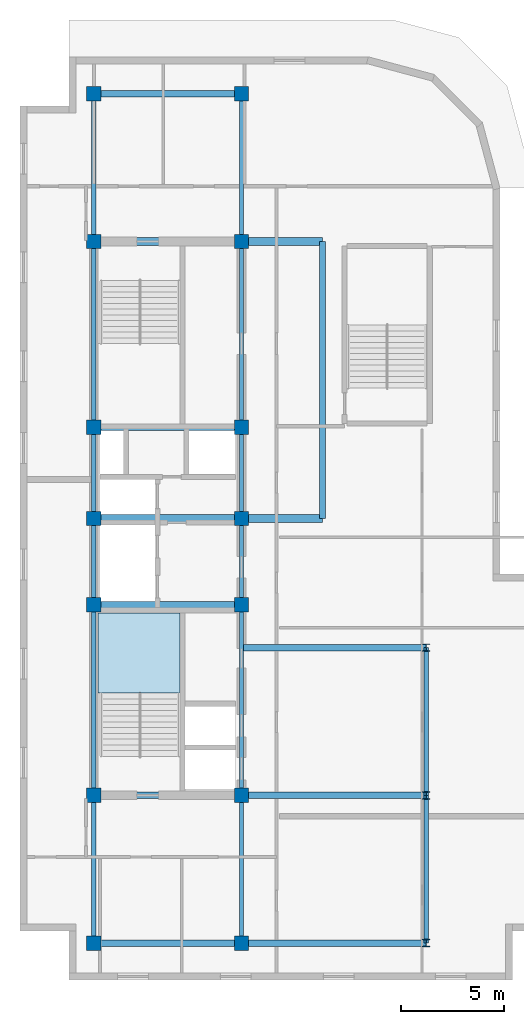
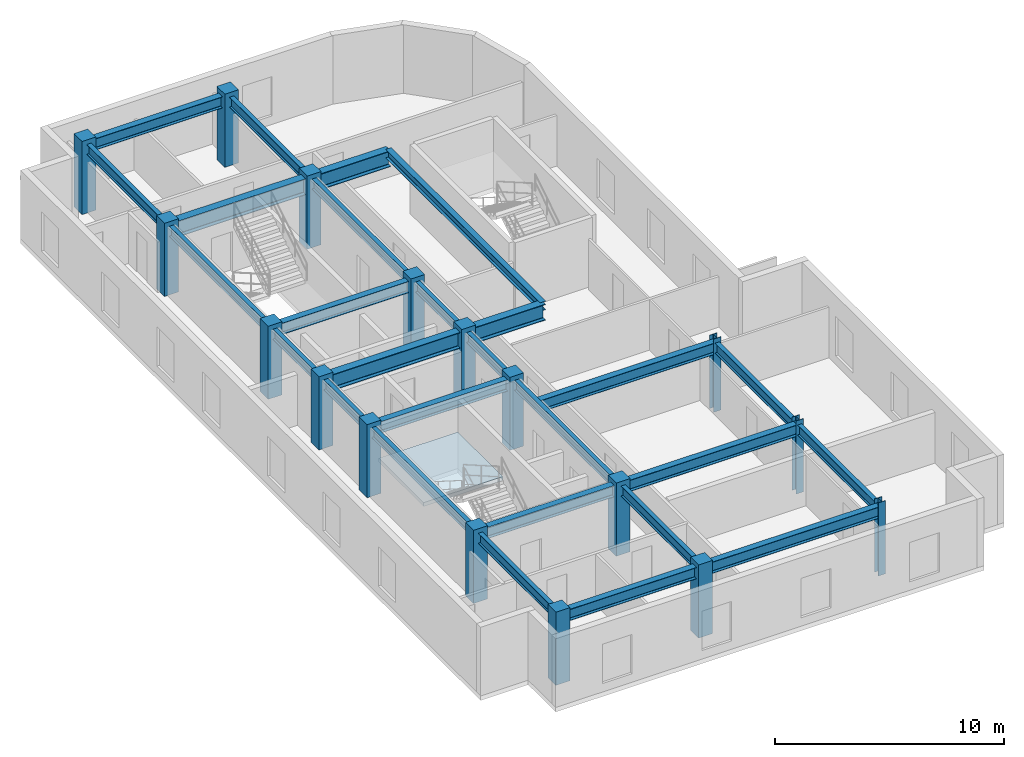
# One storey, part 1 of 5: 25 beams, 17 columns, 1 slab, 1 element without a shape of its own.
"""IFC4 building model written with IfcOpenShell, lengths in metres."""

import ifcopenshell
import ifcopenshell.guid

model = None  # the IFC model being written
_history = None  # IfcOwnerHistory: only IFC2X3 demands one
_inside = {}  # id of a spatial element -> (the spatial element, [elements in it])
_under = {}  # id of a project, library or spatial element -> (it, [spatial elements below it])
_declared = {}  # id of a project -> (the project, [libraries it declares])
_typed = {}  # id of a type object -> (the type object, [elements of that type])
_made_of = {}  # id of a material, layer set ... -> (it, [elements and type objects made of it])


def new_model(schema):
    """Start an empty IFC model of exactly this schema.

    Asked for "IFC4X3", IfcOpenShell would pick the latest addendum, in which some entities
    have other attributes; the version numbers below select the first issue.
    IFC2X3 requires an IfcOwnerHistory on every rooted entity: one is made here for all.
    """
    global model, _history
    if schema == "IFC4X3":
        model = ifcopenshell.file(schema_version=(4, 3, 0, 0))
    else:
        model = ifcopenshell.file(schema=schema)
    _inside.clear()
    _under.clear()
    _declared.clear()
    _typed.clear()
    _made_of.clear()
    _history = None
    if model.schema == "IFC2X3":
        org = make("IfcOrganization", Name="unknown")
        user = make(
            "IfcPersonAndOrganization",
            ThePerson=make("IfcPerson", FamilyName="unknown"),
            TheOrganization=org,
        )
        app = make(
            "IfcApplication",
            ApplicationDeveloper=org,
            Version="unknown",
            ApplicationFullName="unknown",
            ApplicationIdentifier="unknown",
        )
        _history = make(
            "IfcOwnerHistory",
            OwningUser=user,
            OwningApplication=app,
            ChangeAction="ADDED",
            CreationDate=0,
        )
    return model


def make(cls, **values):
    """One entity of the class cls with the attributes given. An attribute that is None is left unset."""
    return model.create_entity(
        cls, **{name: value for name, value in values.items() if value is not None}
    )


def entity(cls, *values):
    """Any entity or typed value of the class cls, its attributes in the order of the schema. None: left unset."""
    e = model.create_entity(cls)
    for i, value in enumerate(values):
        if value is not None:
            e[i] = value
    return e


def rooted(cls, **values):
    """An entity with a GlobalId (a new one), such as an element, a storey or a relation."""
    return make(cls, GlobalId=ifcopenshell.guid.new(), OwnerHistory=_history, **values)


def si_unit(unit_type, name, prefix=None):
    """IfcSIUnit, for example si_unit("LENGTHUNIT", "METRE", prefix="MILLI")."""
    return make("IfcSIUnit", UnitType=unit_type, Prefix=prefix, Name=name)


def converted_unit(unit_type, name, factor, base, dimensions=None, offset=None):
    """IfcConversionBasedUnit, such as the inch: factor (a typed value) times the base unit."""
    return make(
        "IfcConversionBasedUnit"
        if offset is None
        else "IfcConversionBasedUnitWithOffset",
        ConversionOffset=offset,
        Dimensions=None
        if dimensions is None
        else entity("IfcDimensionalExponents", *dimensions),
        UnitType=unit_type,
        Name=name,
        ConversionFactor=make(
            "IfcMeasureWithUnit", ValueComponent=factor, UnitComponent=base
        ),
    )


def assignment(units):
    """IfcUnitAssignment: the units of a project."""
    return None if units is None else make("IfcUnitAssignment", Units=units)


def point(xyz):
    """IfcCartesianPoint."""
    return None if xyz is None else make("IfcCartesianPoint", Coordinates=xyz)


def direction(xyz):
    """IfcDirection."""
    return None if xyz is None else make("IfcDirection", DirectionRatios=xyz)


def frame(location, z_axis=None, x_axis=None):
    """IfcAxis2Placement3D, a coordinate frame: its origin and axes. An axis left out is left unset."""
    return make(
        "IfcAxis2Placement3D",
        Location=point(location),
        Axis=direction(z_axis),
        RefDirection=direction(x_axis),
    )


def frame_2d(location, x_axis=None):
    """IfcAxis2Placement2D, a coordinate frame in the plane: its origin and x axis."""
    return make(
        "IfcAxis2Placement2D", Location=point(location), RefDirection=direction(x_axis)
    )


def origin_with_axes():
    """The frame at (0, 0, 0) with the z axis (0, 0, 1) and the x axis (1, 0, 0) written out."""
    return frame((0.0, 0.0, 0.0), z_axis=(0.0, 0.0, 1.0), x_axis=(1.0, 0.0, 0.0))


def origin_2d_with_axis():
    """The frame at (0, 0) in the plane with the x axis (1, 0) written out."""
    return frame_2d((0.0, 0.0), x_axis=(1.0, 0.0))


def place(relative_to, where):
    """IfcLocalPlacement: puts the frame where relative to a parent placement (None: the world)."""
    return make(
        "IfcLocalPlacement", PlacementRelTo=relative_to, RelativePlacement=where
    )


def context(
    kind, dimensions, precision=None, world=None, true_north=None, identifier=None
):
    """IfcGeometricRepresentationContext, for example the 3D "Model" context."""
    return make(
        "IfcGeometricRepresentationContext",
        ContextIdentifier=identifier,
        ContextType=kind,
        CoordinateSpaceDimension=dimensions,
        Precision=precision,
        WorldCoordinateSystem=world,
        TrueNorth=true_north,
    )


def subcontext(parent, identifier, kind, view, scale=None):
    """IfcGeometricRepresentationSubContext, for example "Body" below "Model"."""
    return make(
        "IfcGeometricRepresentationSubContext",
        ContextIdentifier=identifier,
        ContextType=kind,
        ParentContext=parent,
        TargetScale=scale,
        TargetView=view,
    )


def project(units=None, contexts=None):
    """IfcProject with its units and contexts."""
    return rooted(
        "IfcProject",
        Name="project",
        RepresentationContexts=contexts,
        UnitsInContext=assignment(units),
    )


def spatial(cls, under=None, at=None, **own):
    """A site, building, storey or space (cls), placed at a placement, below another one or the project."""
    s = rooted(cls, ObjectPlacement=at, **own)
    if under is not None:
        _under.setdefault(under.id(), (under, []))[1].append(s)
    return s


def polyline(points):
    """IfcPolyline through the points."""
    return make("IfcPolyline", Points=[point(p) for p in points])


def profile(cls, at=None, kind="AREA", **sizes):
    """A parametric profile (cls). Its sizes go by their IFC names, for example OverallWidth=200.0."""
    return make(cls, ProfileType=kind, Position=at, **sizes)


def rectangle(**sizes):
    """IfcRectangleProfileDef."""
    return profile("IfcRectangleProfileDef", **sizes)


def i_section(**sizes):
    """IfcIShapeProfileDef."""
    return profile("IfcIShapeProfileDef", **sizes)


def outline(outer, holes=None, kind="AREA"):
    """IfcArbitraryClosedProfileDef: a profile drawn as a closed curve; with holes, ...WithVoids."""
    if holes is None:
        return make("IfcArbitraryClosedProfileDef", ProfileType=kind, OuterCurve=outer)
    return make(
        "IfcArbitraryProfileDefWithVoids",
        ProfileType=kind,
        OuterCurve=outer,
        InnerCurves=holes,
    )


def extrude(swept, where, along, depth):
    """IfcExtrudedAreaSolid: the profile swept, set in the frame where, extruded along a direction by depth."""
    return make(
        "IfcExtrudedAreaSolid",
        SweptArea=swept,
        Position=where,
        ExtrudedDirection=direction(along),
        Depth=depth,
    )


def shape(context_of_items, identifier, shape_type, items):
    """IfcShapeRepresentation: the items that make up one representation, for example the "Body"."""
    return make(
        "IfcShapeRepresentation",
        ContextOfItems=context_of_items,
        RepresentationIdentifier=identifier,
        RepresentationType=shape_type,
        Items=items,
    )


def material(Name=None, Category=None):
    """IfcMaterial."""
    return make("IfcMaterial", Name=Name, Category=Category)


def layer(
    of_material, thickness, ventilated=None, Name=None, Category=None, Priority=None
):
    """IfcMaterialLayer: one layer of a wall or slab, of a material (None: an air gap)."""
    return make(
        "IfcMaterialLayer",
        Material=of_material,
        LayerThickness=thickness,
        IsVentilated=ventilated,
        Name=Name,
        Category=Category,
        Priority=Priority,
    )


def layer_set(layers, Name=None):
    """IfcMaterialLayerSet."""
    return make("IfcMaterialLayerSet", MaterialLayers=layers, LayerSetName=Name)


def material_profile(
    of_material, cross_section, Name=None, Category=None, Priority=None
):
    """IfcMaterialProfile: a cross section and its material."""
    return make(
        "IfcMaterialProfile",
        Name=Name,
        Material=of_material,
        Profile=cross_section,
        Priority=Priority,
        Category=Category,
    )


def profile_set(profiles, Name=None, composite=None):
    """IfcMaterialProfileSet."""
    return make(
        "IfcMaterialProfileSet",
        Name=Name,
        MaterialProfiles=profiles,
        CompositeProfile=composite,
    )


def made_of(thing, what):
    """Note that an element or type object is made of a material, layer set ...; save() writes the relation."""
    if what is not None:
        _made_of.setdefault(what.id(), (what, []))[1].append(thing)
    return thing


def type_object(cls, material=None, **own):
    """A type object (cls), such as IfcWallType, which elements share."""
    return made_of(rooted(cls, **own), material)


def element(
    cls,
    number,
    at=None,
    inside=None,
    cuts=None,
    type_object=None,
    material=None,
    context=None,
    identifier="Body",
    shape_type=None,
    held_by="IfcProductDefinitionShape",
    body=None,
    shapes=None,
    **own,
):
    """One element of the class cls, such as IfcWall. Its Tag is "e" and its number.

    at: its placement. inside: the storey or other place that contains it. cuts: it is an
    opening in that element (IfcRelVoidsElement). A single representation is given by context,
    identifier, shape_type and body (its items); several are given by shapes. held_by: the class
    of the entity that holds the representations. save() writes the other relations.
    """
    e = rooted(cls, Tag="e%d" % number, ObjectPlacement=at, **own)
    if body is not None:
        shapes = [shape(context, identifier, shape_type, body)]
    if shapes is not None:
        e.Representation = make(held_by, Representations=shapes)
    if inside is not None:
        _inside.setdefault(inside.id(), (inside, []))[1].append(e)
    if cuts is not None:
        rooted(
            "IfcRelVoidsElement", RelatingBuildingElement=cuts, RelatedOpeningElement=e
        )
    if type_object is not None:
        _typed.setdefault(type_object.id(), (type_object, []))[1].append(e)
    return made_of(e, material)


def aggregate(whole, parts):
    """IfcRelAggregates: a whole, such as a stair, and the parts it consists of."""
    return rooted("IfcRelAggregates", RelatingObject=whole, RelatedObjects=parts)


def save(model, path):
    """Write the relations noted so far, then the file.

    IfcRelAggregates (storeys below a building ...), IfcRelContainedInSpatialStructure (elements
    in a storey), IfcRelDefinesByType, IfcRelAssociatesMaterial and IfcRelDeclares: one each for
    every whole, place, type object, material and project.
    """
    for whole, parts in _under.values():
        aggregate(whole, parts)
    for where, things in _inside.values():
        rooted(
            "IfcRelContainedInSpatialStructure",
            RelatedElements=things,
            RelatingStructure=where,
        )
    for kind, things in _typed.values():
        rooted("IfcRelDefinesByType", RelatedObjects=things, RelatingType=kind)
    for what, things in _made_of.values():
        rooted("IfcRelAssociatesMaterial", RelatedObjects=things, RelatingMaterial=what)
    for by, libraries in _declared.values():
        rooted("IfcRelDeclares", RelatingContext=by, RelatedDefinitions=libraries)
    model.write(path)


model = new_model("IFC4")

# Units and contexts
model_context = context("Model", 3, precision=1e-05, world=origin_with_axes(), true_north=direction((0.0, 1.0)))
body_context = subcontext(model_context, "Body", "Model", "MODEL_VIEW")
ifc_project = project(units=[si_unit("LENGTHUNIT", "METRE"), si_unit("AREAUNIT", "SQUARE_METRE"), si_unit("VOLUMEUNIT", "CUBIC_METRE"), converted_unit("PLANEANGLEUNIT", "DEGREE", entity("IfcPlaneAngleMeasure", 0.017453292519943295), si_unit("PLANEANGLEUNIT", "RADIAN"), dimensions=[0, 0, 0, 0, 0, 0, 0]), si_unit("MASSUNIT", "GRAM", prefix="KILO"), si_unit("THERMODYNAMICTEMPERATUREUNIT", "KELVIN")], contexts=[model_context])

# Site, building, storey
site_placement = place(None, origin_with_axes())
site = spatial("IfcSite", under=ifc_project, at=site_placement, CompositionType="ELEMENT")
building_placement = place(site_placement, origin_with_axes())
building = spatial("IfcBuilding", under=site, at=building_placement, Name="Varnlund Millrace Tower", CompositionType="ELEMENT")
storey_placement = place(building_placement, frame((0.0, 0.0, 295.8), z_axis=(0.0, 0.0, 1.0), x_axis=(1.0, 0.0, 0.0)))
storey = spatial("IfcBuildingStorey", under=building, at=storey_placement, Name="L73", CompositionType="ELEMENT", Elevation=295.8)

# Columns
ifc_material_1 = material(Name="Steel ASTM A992 Grade 50", Category="steel")
ifc_material_profile_1 = material_profile(ifc_material_1, i_section(OverallWidth=0.369, OverallDepth=0.356, WebThickness=0.0112, FlangeThickness=0.018, FilletRadius=0.018, at=origin_2d_with_axis()), Name="Steel ASTM A992 Grade 50")
ifc_profile_set_1 = profile_set([ifc_material_profile_1], Name="Steel ASTM A992 Grade 50")
column_type_1 = type_object("IfcColumnType", Name="Type-Col-Int-W14X90", PredefinedType="COLUMN", material=ifc_profile_set_1)
for number, where, z_axis, x_axis, name in (
    (1, (27.6, 3.6, 0.0), (0.0, 0.0, 1.0), (1.0, 0.0, 0.0), "Type-Col-Int-W14X90"),
    (2, (27.6, 10.8, 0.0), (0.0, 0.0, 1.0), (1.0, 0.0, 0.0), "Type-Col-Int-W14X90"),
    (3, (27.6, 18.0, 0.0), (0.0, 0.0, 1.0), (1.0, 0.0, 0.0), "Type-Col-Int-W14X90"),
):
    element("IfcColumn", number, at=place(storey_placement, frame(where, z_axis=z_axis, x_axis=x_axis)), inside=storey, type_object=column_type_1, Name=name, PredefinedType="COLUMN", context=body_context, shape_type="SweptSolid", body=[
        extrude(i_section(OverallWidth=0.369, OverallDepth=0.356, WebThickness=0.0112, FlangeThickness=0.018, FilletRadius=0.018, at=origin_2d_with_axis()), origin_with_axes(), (0.0, 0.0, 1.0), 3.9),
    ])
ifc_material_2 = material(Name="Concrete C60/75", Category="concrete")
ifc_material_profile_2 = material_profile(ifc_material_2, rectangle(XDim=0.7, YDim=0.7, at=origin_2d_with_axis()), Name="Concrete C60/75")
ifc_profile_set_2 = profile_set([ifc_material_profile_2], Name="Concrete C60/75")
column_type_2 = type_object("IfcColumnType", Name="Type-Col-RC700-C60", PredefinedType="COLUMN", material=ifc_profile_set_2)
for number, where, z_axis, x_axis, name in (
    (4, (11.4, 3.6, 0.0), (0.0, 0.0, 1.0), (1.0, 0.0, 0.0), "Type-Col-RC700-C60"),
    (5, (11.4, 10.8, 0.0), (0.0, 0.0, 1.0), (1.0, 0.0, 0.0), "Type-Col-RC700-C60"),
    (6, (11.4, 20.1, 0.0), (0.0, 0.0, 1.0), (1.0, 0.0, 0.0), "Type-Col-RC700-C60"),
    (7, (11.4, 24.3, 0.0), (0.0, 0.0, 1.0), (1.0, 0.0, 0.0), "Type-Col-RC700-C60"),
    (8, (11.4, 28.75, 0.0), (0.0, 0.0, 1.0), (1.0, 0.0, 0.0), "Type-Col-RC700-C60"),
    (9, (11.4, 37.8, 0.0), (0.0, 0.0, 1.0), (1.0, 0.0, 0.0), "Type-Col-RC700-C60"),
    (10, (11.4, 45.0, 0.0), (0.0, 0.0, 1.0), (1.0, 0.0, 0.0), "Type-Col-RC700-C60"),
    (11, (18.6, 3.6, 0.0), (0.0, 0.0, 1.0), (1.0, 0.0, 0.0), "Type-Col-RC700-C60"),
    (12, (18.6, 10.8, 0.0), (0.0, 0.0, 1.0), (1.0, 0.0, 0.0), "Type-Col-RC700-C60"),
    (13, (18.6, 20.1, 0.0), (0.0, 0.0, 1.0), (1.0, 0.0, 0.0), "Type-Col-RC700-C60"),
    (14, (18.6, 24.3, 0.0), (0.0, 0.0, 1.0), (1.0, 0.0, 0.0), "Type-Col-RC700-C60"),
    (15, (18.6, 28.75, 0.0), (0.0, 0.0, 1.0), (1.0, 0.0, 0.0), "Type-Col-RC700-C60"),
    (16, (18.6, 37.8, 0.0), (0.0, 0.0, 1.0), (1.0, 0.0, 0.0), "Type-Col-RC700-C60"),
    (17, (18.6, 45.0, 0.0), (0.0, 0.0, 1.0), (1.0, 0.0, 0.0), "Type-Col-RC700-C60"),
):
    element("IfcColumn", number, at=place(storey_placement, frame(where, z_axis=z_axis, x_axis=x_axis)), inside=storey, type_object=column_type_2, Name=name, PredefinedType="COLUMN", context=body_context, shape_type="SweptSolid", body=[
        extrude(rectangle(XDim=0.7, YDim=0.7, at=origin_2d_with_axis()), origin_with_axes(), (0.0, 0.0, 1.0), 3.9),
    ])

# Beams
ifc_material_profile_3 = material_profile(ifc_material_1, i_section(OverallWidth=0.28, OverallDepth=0.463, WebThickness=0.0108, FlangeThickness=0.0173, FilletRadius=0.015, at=origin_2d_with_axis()), Name="Steel ASTM A992 Grade 50")
ifc_profile_set_3 = profile_set([ifc_material_profile_3], Name="Steel ASTM A992 Grade 50")
beam_type_1 = type_object("IfcBeamType", Name="Type-Beam-W18X76", PredefinedType="BEAM", material=ifc_profile_set_3)
beam_1_placement = place(storey_placement, frame((22.55, 24.3, 3.4285), z_axis=(0.0, 1.0, 0.0), x_axis=(-1.0, 0.0, 0.0)))
element("IfcBeam", 18, at=beam_1_placement, inside=storey, type_object=beam_type_1, Name="Type-Beam-W18X76", PredefinedType="BEAM", context=body_context, shape_type="SweptSolid", body=[
    extrude(i_section(OverallWidth=0.28, OverallDepth=0.463, WebThickness=0.0108, FlangeThickness=0.0173, FilletRadius=0.015, at=origin_2d_with_axis()), origin_with_axes(), (0.0, 0.0, 1.0), 13.5),
])
ifc_material_profile_4 = material_profile(ifc_material_1, i_section(OverallWidth=0.214, OverallDepth=0.549, WebThickness=0.0147, FlangeThickness=0.0236, FilletRadius=0.015, at=origin_2d_with_axis()), Name="Steel ASTM A992 Grade 50")
ifc_profile_set_4 = profile_set([ifc_material_profile_4], Name="Steel ASTM A992 Grade 50")
beam_type_2 = type_object("IfcBeamType", Name="Type-Beam-W21X93", PredefinedType="BEAM", material=ifc_profile_set_4)
beam_2_placement = place(storey_placement, frame((11.4, 3.6, 3.3855), z_axis=(0.0, 1.0, 0.0), x_axis=(-1.0, 0.0, 0.0)))
element("IfcBeam", 19, at=beam_2_placement, inside=storey, type_object=beam_type_2, Name="Type-Beam-W21X93", PredefinedType="BEAM", context=body_context, shape_type="SweptSolid", body=[
    extrude(i_section(OverallWidth=0.214, OverallDepth=0.549, WebThickness=0.0147, FlangeThickness=0.0236, FilletRadius=0.015, at=origin_2d_with_axis()), origin_with_axes(), (0.0, 0.0, 1.0), 7.2),
])
beam_3_placement = place(storey_placement, frame((11.4, 10.8, 3.3855), z_axis=(0.0, 1.0, 0.0), x_axis=(-1.0, 0.0, 0.0)))
element("IfcBeam", 20, at=beam_3_placement, inside=storey, type_object=beam_type_2, Name="Type-Beam-W21X93", PredefinedType="BEAM", context=body_context, shape_type="SweptSolid", body=[
    extrude(i_section(OverallWidth=0.214, OverallDepth=0.549, WebThickness=0.0147, FlangeThickness=0.0236, FilletRadius=0.015, at=origin_2d_with_axis()), origin_with_axes(), (0.0, 0.0, 1.0), 9.3),
])
beam_4_placement = place(storey_placement, frame((11.4, 20.1, 3.3855), z_axis=(0.0, 1.0, 0.0), x_axis=(-1.0, 0.0, 0.0)))
element("IfcBeam", 21, at=beam_4_placement, inside=storey, type_object=beam_type_2, Name="Type-Beam-W21X93", PredefinedType="BEAM", context=body_context, shape_type="SweptSolid", body=[
    extrude(i_section(OverallWidth=0.214, OverallDepth=0.549, WebThickness=0.0147, FlangeThickness=0.0236, FilletRadius=0.015, at=origin_2d_with_axis()), origin_with_axes(), (0.0, 0.0, 1.0), 4.2),
])
beam_5_placement = place(storey_placement, frame((11.4, 24.3, 3.3855), z_axis=(0.0, 1.0, 0.0), x_axis=(-1.0, 0.0, 0.0)))
element("IfcBeam", 22, at=beam_5_placement, inside=storey, type_object=beam_type_2, Name="Type-Beam-W21X93", PredefinedType="BEAM", context=body_context, shape_type="SweptSolid", body=[
    extrude(i_section(OverallWidth=0.214, OverallDepth=0.549, WebThickness=0.0147, FlangeThickness=0.0236, FilletRadius=0.015, at=origin_2d_with_axis()), origin_with_axes(), (0.0, 0.0, 1.0), 4.45),
])
beam_6_placement = place(storey_placement, frame((11.4, 28.75, 3.3855), z_axis=(0.0, 1.0, 0.0), x_axis=(-1.0, 0.0, 0.0)))
element("IfcBeam", 23, at=beam_6_placement, inside=storey, type_object=beam_type_2, Name="Type-Beam-W21X93", PredefinedType="BEAM", context=body_context, shape_type="SweptSolid", body=[
    extrude(i_section(OverallWidth=0.214, OverallDepth=0.549, WebThickness=0.0147, FlangeThickness=0.0236, FilletRadius=0.015, at=origin_2d_with_axis()), origin_with_axes(), (0.0, 0.0, 1.0), 9.05),
])
for number, where, z_axis, x_axis, name in (
    (24, (11.4, 37.8, 3.3855), (0.0, 1.0, 0.0), (-1.0, 0.0, 0.0), "Type-Beam-W21X93"),
    (25, (18.6, 3.6, 3.3855), (0.0, 1.0, 0.0), (-1.0, 0.0, 0.0), "Type-Beam-W21X93"),
):
    element("IfcBeam", number, at=place(storey_placement, frame(where, z_axis=z_axis, x_axis=x_axis)), inside=storey, type_object=beam_type_2, Name=name, PredefinedType="BEAM", context=body_context, shape_type="SweptSolid", body=[
        extrude(i_section(OverallWidth=0.214, OverallDepth=0.549, WebThickness=0.0147, FlangeThickness=0.0236, FilletRadius=0.015, at=origin_2d_with_axis()), origin_with_axes(), (0.0, 0.0, 1.0), 7.2),
    ])
beam_7_placement = place(storey_placement, frame((18.6, 10.8, 3.3855), z_axis=(0.0, 1.0, 0.0), x_axis=(-1.0, 0.0, 0.0)))
element("IfcBeam", 26, at=beam_7_placement, inside=storey, type_object=beam_type_2, Name="Type-Beam-W21X93", PredefinedType="BEAM", context=body_context, shape_type="SweptSolid", body=[
    extrude(i_section(OverallWidth=0.214, OverallDepth=0.549, WebThickness=0.0147, FlangeThickness=0.0236, FilletRadius=0.015, at=origin_2d_with_axis()), origin_with_axes(), (0.0, 0.0, 1.0), 9.3),
])
beam_8_placement = place(storey_placement, frame((18.6, 20.1, 3.3855), z_axis=(0.0, 1.0, 0.0), x_axis=(-1.0, 0.0, 0.0)))
element("IfcBeam", 27, at=beam_8_placement, inside=storey, type_object=beam_type_2, Name="Type-Beam-W21X93", PredefinedType="BEAM", context=body_context, shape_type="SweptSolid", body=[
    extrude(i_section(OverallWidth=0.214, OverallDepth=0.549, WebThickness=0.0147, FlangeThickness=0.0236, FilletRadius=0.015, at=origin_2d_with_axis()), origin_with_axes(), (0.0, 0.0, 1.0), 4.2),
])
beam_9_placement = place(storey_placement, frame((18.6, 24.3, 3.3855), z_axis=(0.0, 1.0, 0.0), x_axis=(-1.0, 0.0, 0.0)))
element("IfcBeam", 28, at=beam_9_placement, inside=storey, type_object=beam_type_2, Name="Type-Beam-W21X93", PredefinedType="BEAM", context=body_context, shape_type="SweptSolid", body=[
    extrude(i_section(OverallWidth=0.214, OverallDepth=0.549, WebThickness=0.0147, FlangeThickness=0.0236, FilletRadius=0.015, at=origin_2d_with_axis()), origin_with_axes(), (0.0, 0.0, 1.0), 4.45),
])
beam_10_placement = place(storey_placement, frame((18.6, 28.75, 3.3855), z_axis=(0.0, 1.0, 0.0), x_axis=(-1.0, 0.0, 0.0)))
element("IfcBeam", 29, at=beam_10_placement, inside=storey, type_object=beam_type_2, Name="Type-Beam-W21X93", PredefinedType="BEAM", context=body_context, shape_type="SweptSolid", body=[
    extrude(i_section(OverallWidth=0.214, OverallDepth=0.549, WebThickness=0.0147, FlangeThickness=0.0236, FilletRadius=0.015, at=origin_2d_with_axis()), origin_with_axes(), (0.0, 0.0, 1.0), 9.05),
])
for number, where, z_axis, x_axis, name in (
    (30, (18.6, 37.8, 3.3855), (0.0, 1.0, 0.0), (-1.0, 0.0, 0.0), "Type-Beam-W21X93"),
    (31, (27.6, 3.6, 3.3855), (0.0, 1.0, 0.0), (-1.0, 0.0, 0.0), "Type-Beam-W21X93"),
    (32, (27.6, 10.8, 3.3855), (0.0, 1.0, 0.0), (-1.0, 0.0, 0.0), "Type-Beam-W21X93"),
):
    element("IfcBeam", number, at=place(storey_placement, frame(where, z_axis=z_axis, x_axis=x_axis)), inside=storey, type_object=beam_type_2, Name=name, PredefinedType="BEAM", context=body_context, shape_type="SweptSolid", body=[
        extrude(i_section(OverallWidth=0.214, OverallDepth=0.549, WebThickness=0.0147, FlangeThickness=0.0236, FilletRadius=0.015, at=origin_2d_with_axis()), origin_with_axes(), (0.0, 0.0, 1.0), 7.2),
    ])
ifc_material_profile_5 = material_profile(ifc_material_1, i_section(OverallWidth=0.324, OverallDepth=0.611, WebThickness=0.0127, FlangeThickness=0.0191, FilletRadius=0.016, at=origin_2d_with_axis()), Name="Steel ASTM A992 Grade 50")
ifc_profile_set_5 = profile_set([ifc_material_profile_5], Name="Steel ASTM A992 Grade 50")
beam_type_3 = type_object("IfcBeamType", Name="Type-Girder-W24X104", PredefinedType="USERDEFINED", material=ifc_profile_set_5)
beam_11_placement = place(storey_placement, frame((11.4, 3.6, 3.3545), z_axis=(1.0, 0.0, 0.0), x_axis=(0.0, 1.0, 0.0)))
element("IfcBeam", 33, at=beam_11_placement, inside=storey, type_object=beam_type_3, Name="Type-Girder-W24X104", ObjectType="GIRDER", PredefinedType="USERDEFINED", context=body_context, shape_type="SweptSolid", body=[
    extrude(i_section(OverallWidth=0.324, OverallDepth=0.611, WebThickness=0.0127, FlangeThickness=0.0191, FilletRadius=0.016, at=origin_2d_with_axis()), origin_with_axes(), (0.0, 0.0, 1.0), 7.2),
])
beam_12_placement = place(storey_placement, frame((18.6, 3.6, 3.3545), z_axis=(1.0, 0.0, 0.0), x_axis=(0.0, 1.0, 0.0)))
element("IfcBeam", 34, at=beam_12_placement, inside=storey, type_object=beam_type_3, Name="Type-Girder-W24X104", ObjectType="GIRDER", PredefinedType="USERDEFINED", context=body_context, shape_type="SweptSolid", body=[
    extrude(i_section(OverallWidth=0.324, OverallDepth=0.611, WebThickness=0.0127, FlangeThickness=0.0191, FilletRadius=0.016, at=origin_2d_with_axis()), origin_with_axes(), (0.0, 0.0, 1.0), 9.0),
])
beam_13_placement = place(storey_placement, frame((11.4, 10.8, 3.3545), z_axis=(1.0, 0.0, 0.0), x_axis=(0.0, 1.0, 0.0)))
element("IfcBeam", 35, at=beam_13_placement, inside=storey, type_object=beam_type_3, Name="Type-Girder-W24X104", ObjectType="GIRDER", PredefinedType="USERDEFINED", context=body_context, shape_type="SweptSolid", body=[
    extrude(i_section(OverallWidth=0.324, OverallDepth=0.611, WebThickness=0.0127, FlangeThickness=0.0191, FilletRadius=0.016, at=origin_2d_with_axis()), origin_with_axes(), (0.0, 0.0, 1.0), 7.2),
])
for number, where, z_axis, x_axis, name in (
    (36, (18.6, 10.8, 3.3545), (1.0, 0.0, 0.0), (0.0, 1.0, 0.0), "Type-Girder-W24X104"),
    (37, (18.6, 18.0, 3.3545), (1.0, 0.0, 0.0), (0.0, 1.0, 0.0), "Type-Girder-W24X104"),
):
    element("IfcBeam", number, at=place(storey_placement, frame(where, z_axis=z_axis, x_axis=x_axis)), inside=storey, type_object=beam_type_3, Name=name, ObjectType="GIRDER", PredefinedType="USERDEFINED", context=body_context, shape_type="SweptSolid", body=[
        extrude(i_section(OverallWidth=0.324, OverallDepth=0.611, WebThickness=0.0127, FlangeThickness=0.0191, FilletRadius=0.016, at=origin_2d_with_axis()), origin_with_axes(), (0.0, 0.0, 1.0), 9.0),
    ])
for number, where, z_axis, x_axis, name in (
    (38, (11.4, 20.1, 3.3545), (1.0, 0.0, 0.0), (0.0, 1.0, 0.0), "Type-Girder-W24X104"),
    (39, (11.4, 28.75, 3.3545), (1.0, 0.0, 0.0), (0.0, 1.0, 0.0), "Type-Girder-W24X104"),
    (40, (11.4, 45.0, 3.3545), (1.0, 0.0, 0.0), (0.0, 1.0, 0.0), "Type-Girder-W24X104"),
):
    element("IfcBeam", number, at=place(storey_placement, frame(where, z_axis=z_axis, x_axis=x_axis)), inside=storey, type_object=beam_type_3, Name=name, ObjectType="GIRDER", PredefinedType="USERDEFINED", context=body_context, shape_type="SweptSolid", body=[
        extrude(i_section(OverallWidth=0.324, OverallDepth=0.611, WebThickness=0.0127, FlangeThickness=0.0191, FilletRadius=0.016, at=origin_2d_with_axis()), origin_with_axes(), (0.0, 0.0, 1.0), 7.2),
    ])
ifc_material_profile_6 = material_profile(ifc_material_1, i_section(OverallWidth=0.399, OverallDepth=0.855, WebThickness=0.0182, FlangeThickness=0.0292, FilletRadius=0.022, at=origin_2d_with_axis()), Name="Steel ASTM A992 Grade 50")
ifc_profile_set_6 = profile_set([ifc_material_profile_6], Name="Steel ASTM A992 Grade 50")
beam_type_4 = type_object("IfcBeamType", Name="Type-Girder-W33X201", PredefinedType="USERDEFINED", material=ifc_profile_set_6)
for number, where, z_axis, x_axis, name in (
    (41, (11.4, 24.3, 3.2325), (1.0, 0.0, 0.0), (0.0, 1.0, 0.0), "Type-Girder-W33X201"),
    (42, (11.4, 37.8, 3.2325), (1.0, 0.0, 0.0), (0.0, 1.0, 0.0), "Type-Girder-W33X201"),
):
    element("IfcBeam", number, at=place(storey_placement, frame(where, z_axis=z_axis, x_axis=x_axis)), inside=storey, type_object=beam_type_4, Name=name, ObjectType="GIRDER", PredefinedType="USERDEFINED", context=body_context, shape_type="SweptSolid", body=[
        extrude(i_section(OverallWidth=0.399, OverallDepth=0.855, WebThickness=0.0182, FlangeThickness=0.0292, FilletRadius=0.022, at=origin_2d_with_axis()), origin_with_axes(), (0.0, 0.0, 1.0), 11.15),
    ])

# Stair, slab
ifc_material_3 = material(Name="Concrete C50/60", Category="concrete")
stair_type = type_object("IfcStairType", Name="Type-Stair-Dogleg-185-390", PredefinedType="HALF_TURN_STAIR", material=ifc_material_3)
stair_placement = place(storey_placement, origin_with_axes())
stair = element("IfcStair", 43, at=stair_placement, inside=storey, type_object=stair_type, Name="Type-Stair-Dogleg-185-390", PredefinedType="HALF_TURN_STAIR")
ifc_layer = layer(ifc_material_3, 0.2, Name="Concrete C50/60")
ifc_layer_set = layer_set([ifc_layer], Name="Concrete C50/60")
slab_type = type_object("IfcSlabType", Name="Type-StairLanding-200", PredefinedType="LANDING", material=ifc_layer_set)
slab_placement = place(storey_placement, frame((0.0, 0.0, 1.75), z_axis=(0.0, 0.0, 1.0), x_axis=(1.0, 0.0, 0.0)))
slab = element("IfcSlab", 44, at=slab_placement, type_object=slab_type, Name="ST-A1 landing 1", PredefinedType="LANDING", context=body_context, shape_type="SweptSolid", body=[
    extrude(outline(polyline([(15.6, 15.78), (15.6, 19.7), (11.61, 19.7), (11.61, 15.78), (15.6, 15.78)])), origin_with_axes(), (0.0, 0.0, 1.0), 0.2),
])
aggregate(stair, [slab])

save(model, "model.ifc")
